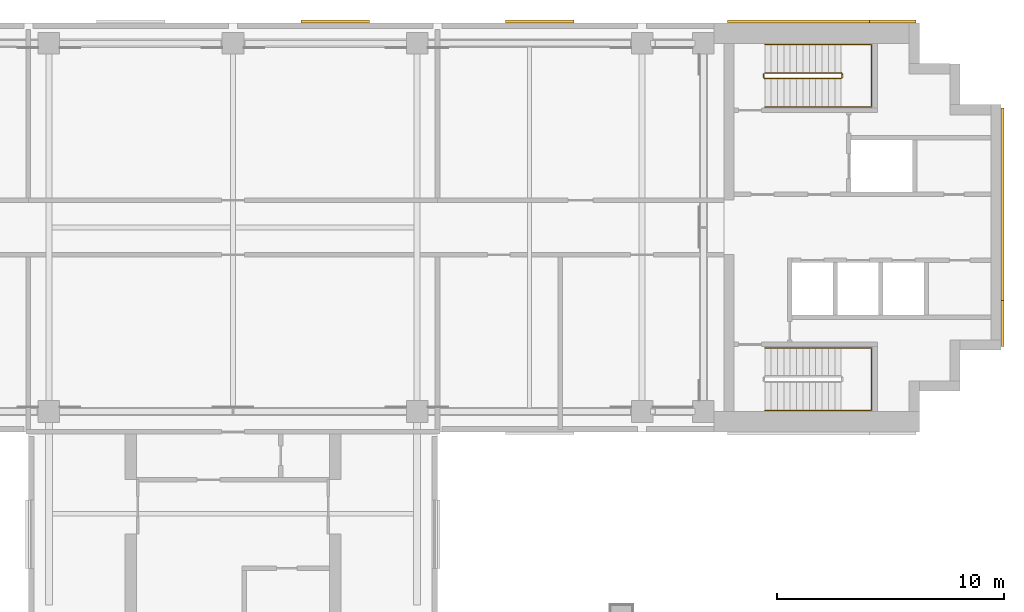
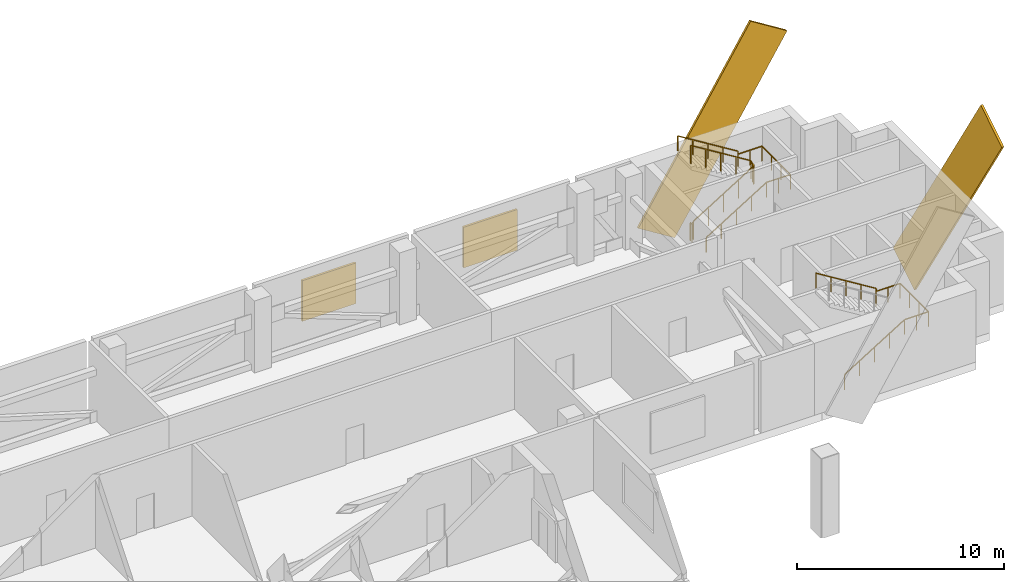
# One storey, part 8 of 8: 3 railings, 2 coverings, 2 shading devices.
"""IFC4 building model written with IfcOpenShell, lengths in metres."""

from ifc_helpers import new_model, si_unit, direction, frame, origin, origin_2d, place, context, subcontext, project, spatial, rectangle, extrude, material, layer, layer_set, material_profile, profile_set, type_object, element, save


model = new_model("IFC4")

# Units and contexts
model_context = context("Model", 3, precision=1e-05, world=origin(), true_north=direction((0.0, 1.0)))
body_context = subcontext(model_context, "Body", "Model", "MODEL_VIEW")
ifc_project = project(units=[si_unit("LENGTHUNIT", "METRE"), si_unit("AREAUNIT", "SQUARE_METRE"), si_unit("VOLUMEUNIT", "CUBIC_METRE"), si_unit("PLANEANGLEUNIT", "RADIAN"), si_unit("MASSUNIT", "GRAM", prefix="KILO")], contexts=[model_context])

# Site, building, storey
site_placement = place(None, origin())
site = spatial("IfcSite", under=ifc_project, at=site_placement, CompositionType="ELEMENT")
building_placement = place(site_placement, origin())
building = spatial("IfcBuilding", under=site, at=building_placement, Name="Perihelion Cross Residences", CompositionType="ELEMENT")
storey_placement = place(building_placement, frame((0.0, 0.0, 228.0)))
storey = spatial("IfcBuildingStorey", under=building, at=storey_placement, Name="L57", CompositionType="ELEMENT", Elevation=228.0)

# Coverings
ifc_material_1 = material(Name="Bronze anodised aluminium", Category="aluminium")
ifc_material_profile = material_profile(ifc_material_1, rectangle(XDim=0.125, YDim=2.39990234375, at=origin_2d()), Name="Bronze cladding band 2400")
ifc_profile_set = profile_set([ifc_material_profile], Name="Bronze anodised aluminium")
covering_type = type_object("IfcCoveringType", Name="Bronze cladding band 2400", PredefinedType="CLADDING", material=ifc_profile_set)
covering_1_placement = place(storey_placement, frame((22.767578125, 9.0625, -0.712646484375), z_axis=(0.529915403603, 0.0, 0.848050508534), x_axis=(0.0, 1.0, 0.0)))
element("IfcCovering", 1, at=covering_1_placement, inside=storey, type_object=covering_type, Name="Core cladding band, east core", PredefinedType="CLADDING", context=body_context, shape_type="SweptSolid", body=[
    extrude(rectangle(XDim=0.125, YDim=2.39990234375, at=origin_2d()), origin(), (0.0, 0.0, 1.0), 11.822021484375),
])
covering_2_placement = place(storey_placement, frame((33.862548828125, 4.232421875, -3.79248046875), z_axis=(0.0, -0.529931619435, 0.848040375644), x_axis=(1.0, 0.0, 0.0)))
element("IfcCovering", 2, at=covering_2_placement, inside=storey, type_object=covering_type, Name="Core cladding band, east core", PredefinedType="CLADDING", context=body_context, shape_type="SweptSolid", body=[
    extrude(rectangle(XDim=0.125, YDim=2.39990234375, at=origin_2d()), origin(), (0.0, 0.0, 1.0), 15.973388671875),
])

# Shading devices
ifc_material_2 = material(Name="Bronze anodised aluminium", Category="aluminium")
ifc_layer = layer(ifc_material_2, 0.1201171875)
ifc_layer_set = layer_set([ifc_layer], Name="Louvre panel")
shading_device_type = type_object("IfcShadingDeviceType", Name="Louvre panel", PredefinedType="USERDEFINED", material=ifc_layer_set)
for number, where, z_axis, x_axis, name in (
    (3, (13.5, 9.06005859375, 1.0), (0.0, 0.0, 1.0), (-1.0, 0.0, 0.0), "Louvre LV1 L57 east side north bay 2"),
    (4, (4.5, 9.06005859375, 1.0), (0.0, 0.0, 1.0), (-1.0, 0.0, 0.0), "Louvre LV1 L57 north side east bay 1"),
):
    element("IfcShadingDevice", number, at=place(storey_placement, frame(where, z_axis=z_axis, x_axis=x_axis)), inside=storey, type_object=shading_device_type, Name=name, ObjectType="LOUVRE", PredefinedType="USERDEFINED", context=body_context, shape_type="SweptSolid", body=[
        extrude(rectangle(XDim=3.0, YDim=0.1201171875, at=origin_2d()), origin(), (0.0, 0.0, 1.0), 2.39990234375),
    ])

# Railings
ifc_material_3 = material(Name="Stainless steel", Category="steel")
railing_type_1 = type_object("IfcRailingType", Name="Stair guard 1100", PredefinedType="GUARDRAIL", material=ifc_material_3)
railing_1_placement = place(storey_placement, frame((23.35009765625, 6.75, 0.0)))
element("IfcRailing", 5, at=railing_1_placement, inside=storey, type_object=railing_type_1, Name="L57 ST-E1 stair guard 1", PredefinedType="GUARDRAIL", context=body_context, shape_type="SweptSolid", body=[
    extrude(rectangle(XDim=0.048095703125, YDim=0.048095703125, at=origin_2d()), frame((0.0, 0.0, 1.076171875), z_axis=(0.0, -1.0, 0.0), x_axis=(1.0, 0.0, 0.0)), (0.0, 0.0, 1.0), 0.14990234375),
    extrude(rectangle(XDim=0.048095703125, YDim=0.048095703125, at=origin_2d()), frame((0.0, -0.14990234375, 1.076171875), z_axis=(0.266417085129, -0.267723051232, 0.925929967433), x_axis=(0.708833529934, 0.705375805398, 0.0)), (0.0, 0.0, 1.0), 0.18701171875),
    extrude(rectangle(XDim=0.048095703125, YDim=0.048095703125, at=origin_2d()), frame((0.0498046875, -0.199951171875, 1.2490234375), z_axis=(0.850623216509, 0.0, 0.525775754039), x_axis=(0.0, 1.0, 0.0)), (0.0, 0.0, 1.0), 3.9501953125),
    extrude(rectangle(XDim=0.048095703125, YDim=0.048095703125, at=origin_2d()), frame((3.409912109375, -0.199951171875, 3.326171875), z_axis=(0.707106781187, 0.707106781187, 0.0), x_axis=(-0.707106781187, 0.707106781187, 0.0)), (0.0, 0.0, 1.0), 0.07080078125),
    extrude(rectangle(XDim=0.048095703125, YDim=0.048095703125, at=origin_2d()), frame((3.4599609375, -0.14990234375, 3.326171875), z_axis=(0.0, 1.0, 0.0), x_axis=(-1.0, 0.0, 0.0)), (0.0, 0.0, 1.0), 0.14990234375),
    extrude(rectangle(XDim=0.048095703125, YDim=0.048095703125, at=origin_2d()), frame((3.4599609375, 0.0, 3.326171875), z_axis=(-0.267629722418, 0.267629722418, 0.925607186314), x_axis=(-0.707106781187, -0.707106781187, 0.0)), (0.0, 0.0, 1.0), 0.18701171875),
    extrude(rectangle(XDim=0.048095703125, YDim=0.048095703125, at=origin_2d()), frame((3.409912109375, 0.050048828125, 3.4990234375), z_axis=(-0.850623216509, 0.0, 0.525775754039), x_axis=(0.0, -1.0, 0.0)), (0.0, 0.0, 1.0), 3.9501953125),
    extrude(rectangle(XDim=0.0419921875, YDim=0.0419921875, at=origin_2d()), origin(), (0.0, 0.0, 1.0), 1.052001953125),
    extrude(rectangle(XDim=0.0419921875, YDim=0.0419921875, at=origin_2d()), frame((0.0, -0.14990234375, 0.0)), (0.0, 0.0, 1.0), 1.052001953125),
    extrude(rectangle(XDim=0.0419921875, YDim=0.0419921875, at=origin_2d()), frame((0.0498046875, -0.199951171875, 0.173095703125)), (0.0, 0.0, 1.0), 1.052001953125),
    extrude(rectangle(XDim=0.0419921875, YDim=0.0419921875, at=origin_2d()), frame((0.889892578125, -0.199951171875, 0.6923828125)), (0.0, 0.0, 1.0), 1.052001953125),
    extrude(rectangle(XDim=0.0419921875, YDim=0.0419921875, at=origin_2d()), frame((1.72998046875, -0.199951171875, 1.21142578125)), (0.0, 0.0, 1.0), 1.052001953125),
    extrude(rectangle(XDim=0.0419921875, YDim=0.0419921875, at=origin_2d()), frame((2.56982421875, -0.199951171875, 1.730712890625)), (0.0, 0.0, 1.0), 1.052001953125),
    extrude(rectangle(XDim=0.0419921875, YDim=0.0419921875, at=origin_2d()), frame((3.409912109375, -0.199951171875, 2.25)), (0.0, 0.0, 1.0), 1.052001953125),
    extrude(rectangle(XDim=0.0419921875, YDim=0.0419921875, at=origin_2d()), frame((3.4599609375, -0.14990234375, 2.25)), (0.0, 0.0, 1.0), 1.052001953125),
    extrude(rectangle(XDim=0.0419921875, YDim=0.0419921875, at=origin_2d()), frame((3.4599609375, 0.0, 2.25)), (0.0, 0.0, 1.0), 1.052001953125),
    extrude(rectangle(XDim=0.0419921875, YDim=0.0419921875, at=origin_2d()), frame((3.409912109375, 0.050048828125, 2.423095703125)), (0.0, 0.0, 1.0), 1.052001953125),
    extrude(rectangle(XDim=0.0419921875, YDim=0.0419921875, at=origin_2d()), frame((2.56982421875, 0.050048828125, 2.9423828125)), (0.0, 0.0, 1.0), 1.052001953125),
    extrude(rectangle(XDim=0.0419921875, YDim=0.0419921875, at=origin_2d()), frame((1.72998046875, 0.050048828125, 3.46142578125)), (0.0, 0.0, 1.0), 1.052001953125),
    extrude(rectangle(XDim=0.0419921875, YDim=0.0419921875, at=origin_2d()), frame((0.889892578125, 0.050048828125, 3.980712890625)), (0.0, 0.0, 1.0), 1.052001953125),
    extrude(rectangle(XDim=0.0419921875, YDim=0.0419921875, at=origin_2d()), frame((0.0498046875, 0.050048828125, 4.5)), (0.0, 0.0, 1.0), 1.052001953125),
])
ifc_material_4 = material(Name="Stainless steel", Category="steel")
railing_type_2 = type_object("IfcRailingType", Name="Stair handrail 900", PredefinedType="HANDRAIL", material=ifc_material_4)
railing_2_placement = place(storey_placement, frame((23.39990234375, 5.300048828125, 0.173095703125)))
element("IfcRailing", 6, at=railing_2_placement, inside=storey, type_object=railing_type_2, Name="L57 ST-E1 stair handrail 1", PredefinedType="HANDRAIL", context=body_context, shape_type="SweptSolid", body=[
    extrude(rectangle(XDim=0.048095703125, YDim=0.048095703125, at=origin_2d()), frame((0.0, 0.0, 0.8759765625), z_axis=(0.850623216509, 0.0, 0.525775754039), x_axis=(0.0, 1.0, 0.0)), (0.0, 0.0, 1.0), 3.9501953125),
    extrude(rectangle(XDim=0.048095703125, YDim=0.048095703125, at=origin_2d()), frame((3.360107421875, 0.0, 2.95263671875), z_axis=(1.0, 0.0, 0.0), x_axis=(0.0, 1.0, 0.0)), (0.0, 0.0, 1.0), 1.340087890625),
    extrude(rectangle(XDim=0.048095703125, YDim=0.048095703125, at=origin_2d()), frame((4.7001953125, 0.0, 2.95263671875), z_axis=(0.0, 1.0, 0.0), x_axis=(-1.0, 0.0, 0.0)), (0.0, 0.0, 1.0), 2.75),
    extrude(rectangle(XDim=0.048095703125, YDim=0.048095703125, at=origin_2d()), frame((4.7001953125, 2.75, 2.95263671875), z_axis=(-1.0, 0.0, 0.0), x_axis=(0.0, -1.0, 0.0)), (0.0, 0.0, 1.0), 1.340087890625),
    extrude(rectangle(XDim=0.048095703125, YDim=0.048095703125, at=origin_2d()), frame((3.360107421875, 2.75, 2.95263671875), z_axis=(0.0, 0.0, 1.0), x_axis=(1.0, 0.0, 0.0)), (0.0, 0.0, 1.0), 0.173095703125),
    extrude(rectangle(XDim=0.048095703125, YDim=0.048095703125, at=origin_2d()), frame((3.360107421875, 2.75, 3.1259765625), z_axis=(-0.850623216509, 0.0, 0.525775754039), x_axis=(0.0, -1.0, 0.0)), (0.0, 0.0, 1.0), 3.9501953125),
    extrude(rectangle(XDim=0.0419921875, YDim=0.0419921875, at=origin_2d()), origin(), (0.0, 0.0, 1.0), 0.851806640625),
    extrude(rectangle(XDim=0.0419921875, YDim=0.0419921875, at=origin_2d()), frame((0.840087890625, 0.0, 0.519287109375)), (0.0, 0.0, 1.0), 0.851806640625),
    extrude(rectangle(XDim=0.0419921875, YDim=0.0419921875, at=origin_2d()), frame((1.68017578125, 0.0, 1.03857421875)), (0.0, 0.0, 1.0), 0.851806640625),
    extrude(rectangle(XDim=0.0419921875, YDim=0.0419921875, at=origin_2d()), frame((2.52001953125, 0.0, 1.5576171875)), (0.0, 0.0, 1.0), 0.851806640625),
    extrude(rectangle(XDim=0.0419921875, YDim=0.0419921875, at=origin_2d()), frame((3.360107421875, 0.0, 2.076904296875)), (0.0, 0.0, 1.0), 0.851806640625),
    extrude(rectangle(XDim=0.0419921875, YDim=0.0419921875, at=origin_2d()), frame((4.0302734375, 0.0, 2.076904296875)), (0.0, 0.0, 1.0), 0.851806640625),
    extrude(rectangle(XDim=0.0419921875, YDim=0.0419921875, at=origin_2d()), frame((4.7001953125, 0.0, 2.076904296875)), (0.0, 0.0, 1.0), 0.851806640625),
    extrude(rectangle(XDim=0.0419921875, YDim=0.0419921875, at=origin_2d()), frame((4.7001953125, 0.916748046875, 2.076904296875)), (0.0, 0.0, 1.0), 0.851806640625),
    extrude(rectangle(XDim=0.0419921875, YDim=0.0419921875, at=origin_2d()), frame((4.7001953125, 1.833251953125, 2.076904296875)), (0.0, 0.0, 1.0), 0.851806640625),
    extrude(rectangle(XDim=0.0419921875, YDim=0.0419921875, at=origin_2d()), frame((4.7001953125, 2.75, 2.076904296875)), (0.0, 0.0, 1.0), 0.851806640625),
    extrude(rectangle(XDim=0.0419921875, YDim=0.0419921875, at=origin_2d()), frame((4.0302734375, 2.75, 2.076904296875)), (0.0, 0.0, 1.0), 0.851806640625),
    extrude(rectangle(XDim=0.0419921875, YDim=0.0419921875, at=origin_2d()), frame((3.360107421875, 2.75, 2.076904296875)), (0.0, 0.0, 1.0), 0.851806640625),
    extrude(rectangle(XDim=0.0419921875, YDim=0.0419921875, at=origin_2d()), frame((3.360107421875, 2.75, 2.25)), (0.0, 0.0, 1.0), 0.851806640625),
    extrude(rectangle(XDim=0.0419921875, YDim=0.0419921875, at=origin_2d()), frame((2.52001953125, 2.75, 2.769287109375)), (0.0, 0.0, 1.0), 0.851806640625),
    extrude(rectangle(XDim=0.0419921875, YDim=0.0419921875, at=origin_2d()), frame((1.68017578125, 2.75, 3.28857421875)), (0.0, 0.0, 1.0), 0.851806640625),
    extrude(rectangle(XDim=0.0419921875, YDim=0.0419921875, at=origin_2d()), frame((0.840087890625, 2.75, 3.8076171875)), (0.0, 0.0, 1.0), 0.851806640625),
    extrude(rectangle(XDim=0.0419921875, YDim=0.0419921875, at=origin_2d()), frame((0.0, 2.75, 4.326904296875)), (0.0, 0.0, 1.0), 0.851806640625),
])
railing_3_placement = place(storey_placement, frame((23.39990234375, -8.050048828125, 0.173095703125)))
element("IfcRailing", 7, at=railing_3_placement, inside=storey, type_object=railing_type_2, Name="L57 ST-E2 stair handrail 1", PredefinedType="HANDRAIL", context=body_context, shape_type="SweptSolid", body=[
    extrude(rectangle(XDim=0.048095703125, YDim=0.048095703125, at=origin_2d()), frame((0.0, 0.0, 0.8759765625), z_axis=(0.850623216509, 0.0, 0.525775754039), x_axis=(0.0, 1.0, 0.0)), (0.0, 0.0, 1.0), 3.9501953125),
    extrude(rectangle(XDim=0.048095703125, YDim=0.048095703125, at=origin_2d()), frame((3.360107421875, 0.0, 2.95263671875), z_axis=(1.0, 0.0, 0.0), x_axis=(0.0, 1.0, 0.0)), (0.0, 0.0, 1.0), 1.340087890625),
    extrude(rectangle(XDim=0.048095703125, YDim=0.048095703125, at=origin_2d()), frame((4.7001953125, 0.0, 2.95263671875), z_axis=(0.0, 1.0, 0.0), x_axis=(-1.0, 0.0, 0.0)), (0.0, 0.0, 1.0), 2.75),
    extrude(rectangle(XDim=0.048095703125, YDim=0.048095703125, at=origin_2d()), frame((4.7001953125, 2.75, 2.95263671875), z_axis=(-1.0, 0.0, 0.0), x_axis=(0.0, -1.0, 0.0)), (0.0, 0.0, 1.0), 1.340087890625),
    extrude(rectangle(XDim=0.048095703125, YDim=0.048095703125, at=origin_2d()), frame((3.360107421875, 2.75, 2.95263671875), z_axis=(0.0, 0.0, 1.0), x_axis=(1.0, 0.0, 0.0)), (0.0, 0.0, 1.0), 0.173095703125),
    extrude(rectangle(XDim=0.048095703125, YDim=0.048095703125, at=origin_2d()), frame((3.360107421875, 2.75, 3.1259765625), z_axis=(-0.850623216509, 0.0, 0.525775754039), x_axis=(0.0, -1.0, 0.0)), (0.0, 0.0, 1.0), 3.9501953125),
    extrude(rectangle(XDim=0.0419921875, YDim=0.0419921875, at=origin_2d()), origin(), (0.0, 0.0, 1.0), 0.851806640625),
    extrude(rectangle(XDim=0.0419921875, YDim=0.0419921875, at=origin_2d()), frame((0.840087890625, 0.0, 0.519287109375)), (0.0, 0.0, 1.0), 0.851806640625),
    extrude(rectangle(XDim=0.0419921875, YDim=0.0419921875, at=origin_2d()), frame((1.68017578125, 0.0, 1.03857421875)), (0.0, 0.0, 1.0), 0.851806640625),
    extrude(rectangle(XDim=0.0419921875, YDim=0.0419921875, at=origin_2d()), frame((2.52001953125, 0.0, 1.5576171875)), (0.0, 0.0, 1.0), 0.851806640625),
    extrude(rectangle(XDim=0.0419921875, YDim=0.0419921875, at=origin_2d()), frame((3.360107421875, 0.0, 2.076904296875)), (0.0, 0.0, 1.0), 0.851806640625),
    extrude(rectangle(XDim=0.0419921875, YDim=0.0419921875, at=origin_2d()), frame((4.0302734375, 0.0, 2.076904296875)), (0.0, 0.0, 1.0), 0.851806640625),
    extrude(rectangle(XDim=0.0419921875, YDim=0.0419921875, at=origin_2d()), frame((4.7001953125, 0.0, 2.076904296875)), (0.0, 0.0, 1.0), 0.851806640625),
    extrude(rectangle(XDim=0.0419921875, YDim=0.0419921875, at=origin_2d()), frame((4.7001953125, 0.916748046875, 2.076904296875)), (0.0, 0.0, 1.0), 0.851806640625),
    extrude(rectangle(XDim=0.0419921875, YDim=0.0419921875, at=origin_2d()), frame((4.7001953125, 1.833251953125, 2.076904296875)), (0.0, 0.0, 1.0), 0.851806640625),
    extrude(rectangle(XDim=0.0419921875, YDim=0.0419921875, at=origin_2d()), frame((4.7001953125, 2.75, 2.076904296875)), (0.0, 0.0, 1.0), 0.851806640625),
    extrude(rectangle(XDim=0.0419921875, YDim=0.0419921875, at=origin_2d()), frame((4.0302734375, 2.75, 2.076904296875)), (0.0, 0.0, 1.0), 0.851806640625),
    extrude(rectangle(XDim=0.0419921875, YDim=0.0419921875, at=origin_2d()), frame((3.360107421875, 2.75, 2.076904296875)), (0.0, 0.0, 1.0), 0.851806640625),
    extrude(rectangle(XDim=0.0419921875, YDim=0.0419921875, at=origin_2d()), frame((3.360107421875, 2.75, 2.25)), (0.0, 0.0, 1.0), 0.851806640625),
    extrude(rectangle(XDim=0.0419921875, YDim=0.0419921875, at=origin_2d()), frame((2.52001953125, 2.75, 2.769287109375)), (0.0, 0.0, 1.0), 0.851806640625),
    extrude(rectangle(XDim=0.0419921875, YDim=0.0419921875, at=origin_2d()), frame((1.68017578125, 2.75, 3.28857421875)), (0.0, 0.0, 1.0), 0.851806640625),
    extrude(rectangle(XDim=0.0419921875, YDim=0.0419921875, at=origin_2d()), frame((0.840087890625, 2.75, 3.8076171875)), (0.0, 0.0, 1.0), 0.851806640625),
    extrude(rectangle(XDim=0.0419921875, YDim=0.0419921875, at=origin_2d()), frame((0.0, 2.75, 4.326904296875)), (0.0, 0.0, 1.0), 0.851806640625),
])

save(model, "model.ifc")
